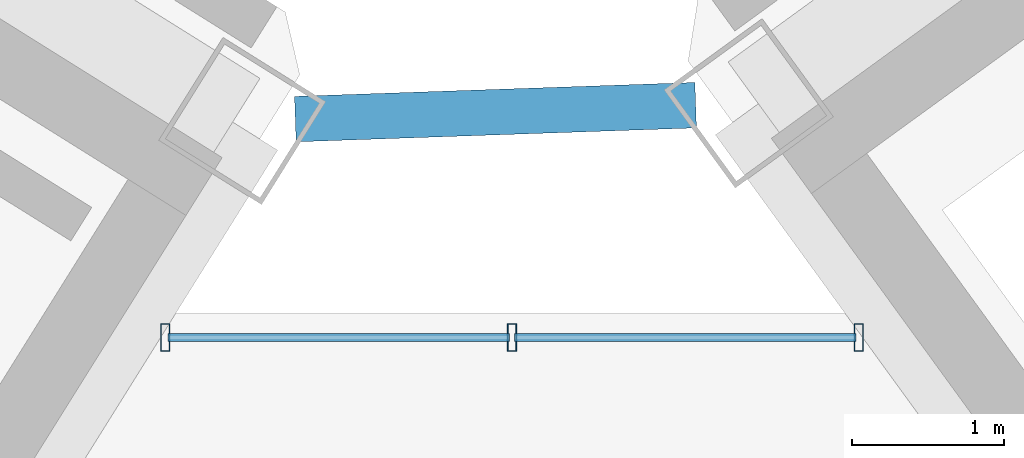
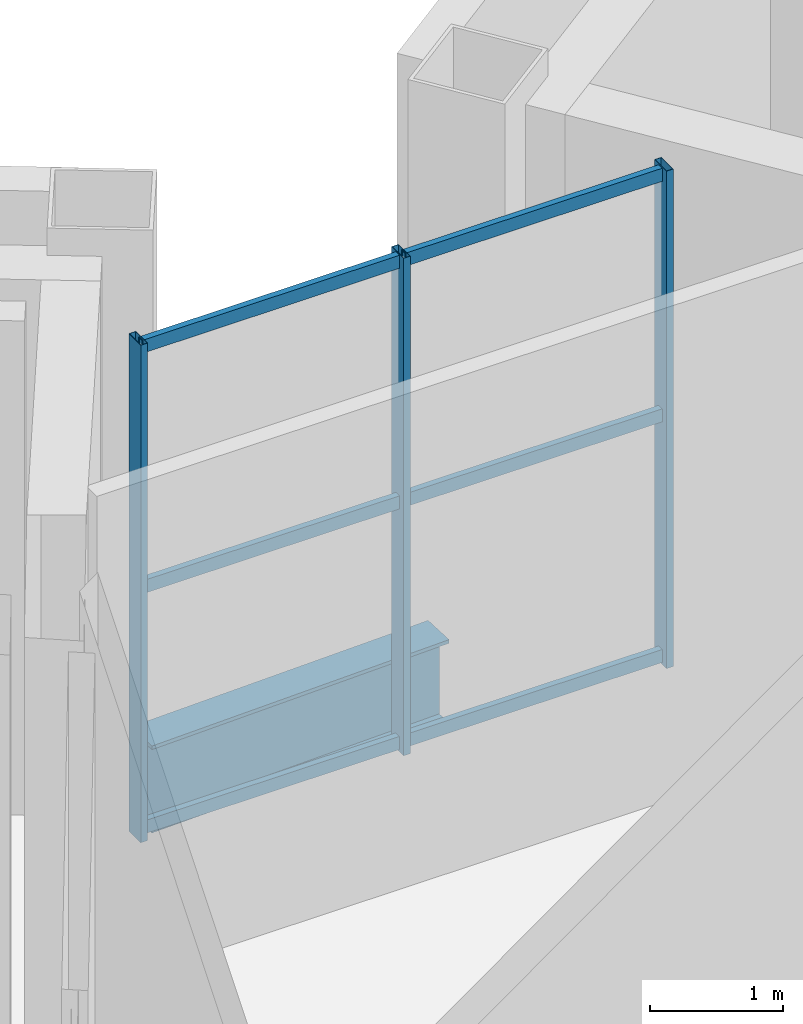
# One storey, part 12 of 26: 9 members, 1 beam, 1 element without a shape of its own.
"""IFC4 building model written with IfcOpenShell, lengths in metres."""

from ifc_helpers import new_model, si_unit, direction, frame, origin, origin_2d, place, context, subcontext, project, spatial, hollow_rectangle, i_section, extrude, source, transform, mapped, material, material_profile, profile_set, type_object, element, aggregate, save


model = new_model("IFC4")

# Units and contexts
model_context = context("Model", 3, precision=1e-05, world=origin(), true_north=direction((0.0, 1.0)))
body_context = subcontext(model_context, "Body", "Model", "MODEL_VIEW")
ifc_project = project(units=[si_unit("LENGTHUNIT", "METRE"), si_unit("AREAUNIT", "SQUARE_METRE"), si_unit("VOLUMEUNIT", "CUBIC_METRE"), si_unit("PLANEANGLEUNIT", "RADIAN"), si_unit("MASSUNIT", "GRAM", prefix="KILO")], contexts=[model_context])

# Site, building, storey
site_placement = place(None, origin())
site = spatial("IfcSite", under=ifc_project, at=site_placement, CompositionType="ELEMENT")
building_placement = place(site_placement, origin())
building = spatial("IfcBuilding", under=site, at=building_placement, Name="Tlacorven Tower", CompositionType="ELEMENT")
storey_placement = place(building_placement, frame((0.0, 0.0, 233.699951171875)))
storey = spatial("IfcBuildingStorey", under=building, at=storey_placement, Name="L59", CompositionType="ELEMENT", Elevation=233.699951171875)

# Beam
ifc_material_1 = material(Name="Steel S355J2", Category="steel")
ifc_material_profile_1 = material_profile(ifc_material_1, i_section(OverallWidth=0.300048828125, OverallDepth=0.800048828125, WebThickness=0.017578125, FlangeThickness=0.032958984375, at=origin_2d()), Name="HEB 800")
ifc_profile_set_1 = profile_set([ifc_material_profile_1], Name="Steel S355J2")
beam_type = type_object("IfcBeamType", Name="BM-POD-800", PredefinedType="BEAM", material=ifc_profile_set_1)
shared_shape_1 = source(origin(), body_context, "Body", "SweptSolid", [
    extrude(i_section(OverallWidth=0.300048828125, OverallDepth=0.800048828125, WebThickness=0.017578125, FlangeThickness=0.032958984375, at=origin_2d()), origin(), (0.0, 0.0, 1.0), 2.642822265625),
])
beam_placement = place(storey_placement, frame((41.1328125, 24.480712890625, -0.679931640625), z_axis=(0.999393314814, 0.034828182629, 0.0), x_axis=(-0.034828182629, 0.999393314814, 0.0)))
element("IfcBeam", 1, at=beam_placement, inside=storey, type_object=beam_type, Name="L59 Knuckle Link Girder 1", PredefinedType="BEAM", context=body_context, shape_type="MappedRepresentation", body=[
    mapped(shared_shape_1, transform((0.0, 0.0, 0.0), scale=1.0)),
])

# Curtain wall, members
ifc_material_2 = material(Name="Dark solar low-E double glazing in aluminium frame", Category="aluminium")
curtain_wall_type = type_object("IfcCurtainWallType", Name="CW-TWR-HIGH", PredefinedType="USERDEFINED", material=ifc_material_2)
curtain_wall_placement = place(storey_placement, origin())
curtain_wall = element("IfcCurtainWall", 2, at=curtain_wall_placement, inside=storey, type_object=curtain_wall_type, Name="L59 CW-TWR-HIGH Curtain Wall 271", ObjectType="UNITISED CURTAIN WALL", PredefinedType="USERDEFINED")
ifc_material_3 = material(Name="Aluminium 6063-T6 anodised", Category="aluminium")
ifc_material_profile_2 = material_profile(ifc_material_3, hollow_rectangle(XDim=0.06005859375, YDim=0.179931640625, WallThickness=0.00390625, at=origin_2d()), Name="ALU MULLION 60X180")
ifc_profile_set_2 = profile_set([ifc_material_profile_2], Name="Aluminium 6063-T6 anodised")
member_type_1 = type_object("IfcMemberType", Name="CWM-03", PredefinedType="MULLION", material=ifc_profile_set_2)
shared_shape_2 = source(origin(), body_context, "Body", "SweptSolid", [
    extrude(hollow_rectangle(XDim=0.06005859375, YDim=0.179931640625, WallThickness=0.00390625, at=origin_2d()), origin(), (0.0, 0.0, 1.0), 4.580078125),
])
member_1_placement = place(storey_placement, frame((40.27392578125, 23.0400390625, -0.02001953125), z_axis=(0.0, 0.0, 1.0), x_axis=(1.0, 0.0, 0.0)))
member_1 = element("IfcMember", 3, at=member_1_placement, type_object=member_type_1, Name="CW-L59-271 Mullion 1", PredefinedType="MULLION", context=body_context, shape_type="MappedRepresentation", body=[
    mapped(shared_shape_2, transform((0.0, 0.0, 0.0), scale=1.0)),
])
member_2_placement = place(storey_placement, frame((42.562255859375, 23.0400390625, -0.02001953125), z_axis=(0.0, 0.0, 1.0), x_axis=(1.0, 0.0, 0.0)))
member_2 = element("IfcMember", 4, at=member_2_placement, type_object=member_type_1, Name="CW-L59-271 Mullion 2", PredefinedType="MULLION", context=body_context, shape_type="MappedRepresentation", body=[
    mapped(shared_shape_2, transform((0.0, 0.0, 0.0), scale=1.0)),
])
member_3_placement = place(storey_placement, frame((44.8505859375, 23.0400390625, -0.02001953125), z_axis=(0.0, 0.0, 1.0), x_axis=(1.0, 0.0, 0.0)))
member_3 = element("IfcMember", 5, at=member_3_placement, type_object=member_type_1, Name="CW-L59-271 Mullion 3", PredefinedType="MULLION", context=body_context, shape_type="MappedRepresentation", body=[
    mapped(shared_shape_2, transform((0.0, 0.0, 0.0), scale=1.0)),
])
ifc_material_profile_3 = material_profile(ifc_material_3, hollow_rectangle(XDim=0.054931640625, YDim=0.1201171875, WallThickness=0.00341796875, at=origin_2d()), Name="ALU TRANSOM 55X120")
ifc_profile_set_3 = profile_set([ifc_material_profile_3], Name="Aluminium 6063-T6 anodised")
member_type_2 = type_object("IfcMemberType", Name="CWT-03", PredefinedType="USERDEFINED", material=ifc_profile_set_3)
shared_shape_3 = source(origin(), body_context, "Body", "SweptSolid", [
    extrude(hollow_rectangle(XDim=0.054931640625, YDim=0.1201171875, WallThickness=0.00341796875, at=origin_2d()), origin(), (0.0, 0.0, 1.0), 2.252197265625),
])
member_4_placement = place(storey_placement, frame((40.2919921875, 23.0400390625, 0.06005859375), z_axis=(1.0, 0.0, 0.0), x_axis=(0.0, 1.0, 0.0)))
member_4 = element("IfcMember", 6, at=member_4_placement, type_object=member_type_2, Name="CW-L59-271 Transom 1", ObjectType="TRANSOM", PredefinedType="USERDEFINED", context=body_context, shape_type="MappedRepresentation", body=[
    mapped(shared_shape_3, transform((0.0, 0.0, 0.0), scale=1.0)),
])
member_5_placement = place(storey_placement, frame((40.2919921875, 23.0400390625, 2.275146484375), z_axis=(1.0, 0.0, 0.0), x_axis=(0.0, 1.0, 0.0)))
member_5 = element("IfcMember", 7, at=member_5_placement, type_object=member_type_2, Name="CW-L59-271 Transom 2", ObjectType="TRANSOM", PredefinedType="USERDEFINED", context=body_context, shape_type="MappedRepresentation", body=[
    mapped(shared_shape_3, transform((0.0, 0.0, 0.0), scale=1.0)),
])
member_6_placement = place(storey_placement, frame((40.2919921875, 23.0400390625, 4.489990234375), z_axis=(1.0, 0.0, 0.0), x_axis=(0.0, 1.0, 0.0)))
member_6 = element("IfcMember", 8, at=member_6_placement, type_object=member_type_2, Name="CW-L59-271 Transom 3", ObjectType="TRANSOM", PredefinedType="USERDEFINED", context=body_context, shape_type="MappedRepresentation", body=[
    mapped(shared_shape_3, transform((0.0, 0.0, 0.0), scale=1.0)),
])
member_7_placement = place(storey_placement, frame((42.580322265625, 23.0400390625, 0.06005859375), z_axis=(1.0, 0.0, 0.0), x_axis=(0.0, 1.0, 0.0)))
member_7 = element("IfcMember", 9, at=member_7_placement, type_object=member_type_2, Name="CW-L59-271 Transom 4", ObjectType="TRANSOM", PredefinedType="USERDEFINED", context=body_context, shape_type="MappedRepresentation", body=[
    mapped(shared_shape_3, transform((0.0, 0.0, 0.0), scale=1.0)),
])
member_8_placement = place(storey_placement, frame((42.580322265625, 23.0400390625, 2.275146484375), z_axis=(1.0, 0.0, 0.0), x_axis=(0.0, 1.0, 0.0)))
member_8 = element("IfcMember", 10, at=member_8_placement, type_object=member_type_2, Name="CW-L59-271 Transom 5", ObjectType="TRANSOM", PredefinedType="USERDEFINED", context=body_context, shape_type="MappedRepresentation", body=[
    mapped(shared_shape_3, transform((0.0, 0.0, 0.0), scale=1.0)),
])
member_9_placement = place(storey_placement, frame((42.580322265625, 23.0400390625, 4.489990234375), z_axis=(1.0, 0.0, 0.0), x_axis=(0.0, 1.0, 0.0)))
member_9 = element("IfcMember", 11, at=member_9_placement, type_object=member_type_2, Name="CW-L59-271 Transom 6", ObjectType="TRANSOM", PredefinedType="USERDEFINED", context=body_context, shape_type="MappedRepresentation", body=[
    mapped(shared_shape_3, transform((0.0, 0.0, 0.0), scale=1.0)),
])
aggregate(curtain_wall, [member_1, member_2, member_3, member_4, member_5, member_6, member_7, member_8, member_9])

save(model, "model.ifc")
